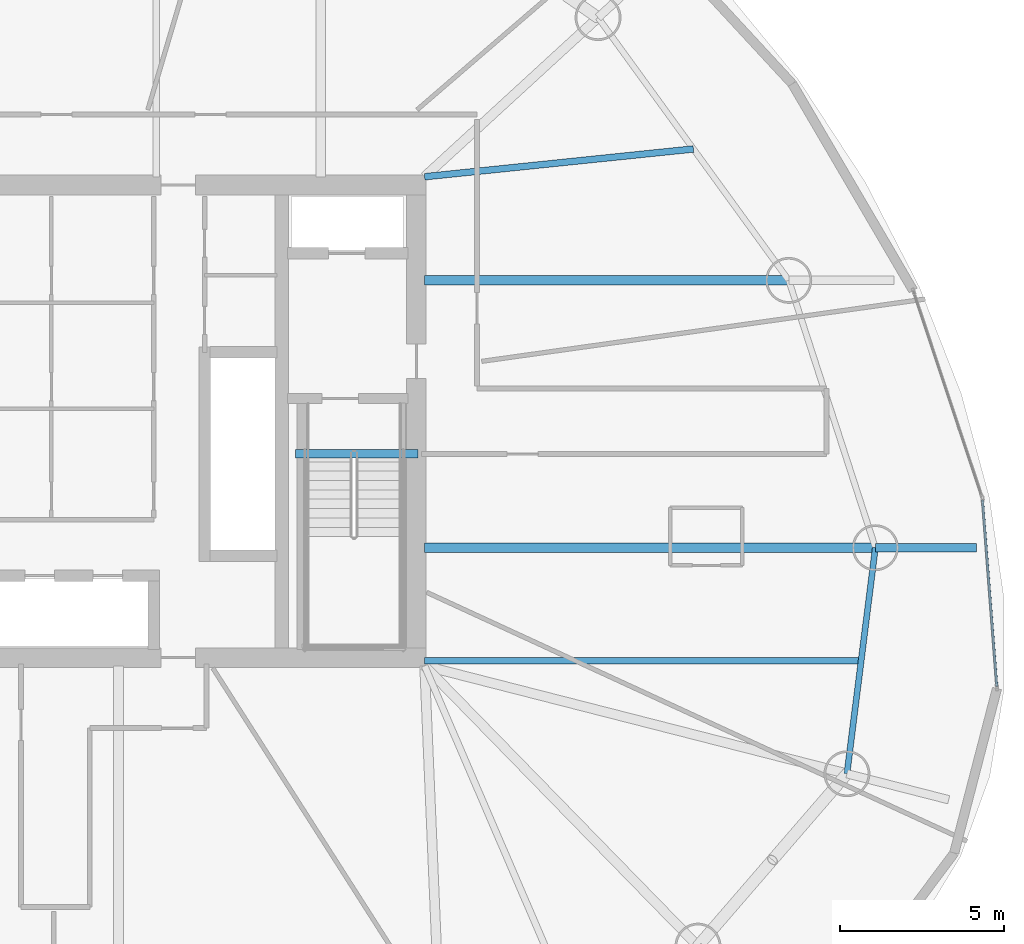
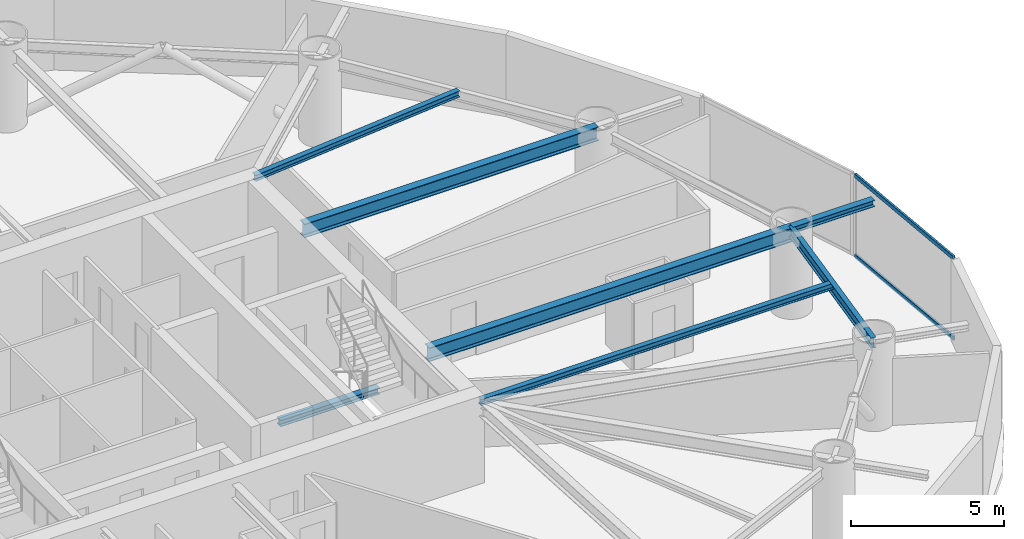
# One storey, part 11 of 22: 7 beams, 2 members, 1 element without a shape of its own.
"""IFC4 building model written with IfcOpenShell, lengths in metres."""

from ifc_helpers import new_model, si_unit, direction, frame, origin, origin_2d, place, context, subcontext, project, spatial, hollow_rectangle, i_section, extrude, material, layer, layer_set, material_profile, profile_set, type_object, element, aggregate, save


model = new_model("IFC4")

# Units and contexts
model_context = context("Model", 3, precision=1e-05, world=origin(), true_north=direction((0.0, 1.0)))
body_context = subcontext(model_context, "Body", "Model", "MODEL_VIEW")
ifc_project = project(units=[si_unit("LENGTHUNIT", "METRE"), si_unit("AREAUNIT", "SQUARE_METRE"), si_unit("VOLUMEUNIT", "CUBIC_METRE"), si_unit("PLANEANGLEUNIT", "RADIAN"), si_unit("MASSUNIT", "GRAM", prefix="KILO")], contexts=[model_context])

# Site, building, storey
site_placement = place(None, origin())
site = spatial("IfcSite", under=ifc_project, at=site_placement, CompositionType="ELEMENT")
building_placement = place(site_placement, origin())
building = spatial("IfcBuilding", under=site, at=building_placement, Name="Bramvorn Convention Spire", CompositionType="ELEMENT")
storey_placement = place(building_placement, frame((0.0, 0.0, 134.300048828125)))
storey = spatial("IfcBuildingStorey", under=building, at=storey_placement, Name="L33", CompositionType="ELEMENT", Elevation=134.300048828125)

# Beams
ifc_material_1 = material(Name="Steel CSA G40.21 Grade 350 (350W)", Category="steel")
ifc_material_profile_1 = material_profile(ifc_material_1, i_section(OverallWidth=0.201904296875, OverallDepth=0.2470703125, WebThickness=0.00732421875, FlangeThickness=0.010986328125, FilletRadius=0.011962890625, at=origin_2d()))
ifc_profile_set_1 = profile_set([ifc_material_profile_1], Name="Steel CSA G40.21 Grade 350 (350W) - W250X49")
beam_type_1 = type_object("IfcBeamType", Name="BM-W250X49", PredefinedType="JOIST", material=ifc_profile_set_1)
beam_1_placement = place(storey_placement, frame((49.25, 18.705078125, 3.136474609375), z_axis=(1.0, 0.0, 0.0), x_axis=(0.0, 1.0, 0.0)))
element("IfcBeam", 1, at=beam_1_placement, inside=storey, type_object=beam_type_1, Name="L33 composite floor joist 01", PredefinedType="JOIST", context=body_context, shape_type="SweptSolid", body=[
    extrude(i_section(OverallWidth=0.201904296875, OverallDepth=0.2470703125, WebThickness=0.00732421875, FlangeThickness=0.010986328125, FilletRadius=0.011962890625, at=origin_2d()), origin(), (0.0, 0.0, 1.0), 13.30078125),
])
beam_2_placement = place(storey_placement, frame((49.25, 33.449951171875, 3.136474609375), z_axis=(0.994705076194, 0.102770673804, 0.0), x_axis=(-0.102770673804, 0.994705076194, 0.0)))
element("IfcBeam", 2, at=beam_2_placement, inside=storey, type_object=beam_type_1, Name="L33 composite floor joist 03", PredefinedType="JOIST", context=body_context, shape_type="SweptSolid", body=[
    extrude(i_section(OverallWidth=0.201904296875, OverallDepth=0.2470703125, WebThickness=0.00732421875, FlangeThickness=0.010986328125, FilletRadius=0.011962890625, at=origin_2d()), origin(), (0.0, 0.0, 1.0), 8.23388671875),
])
ifc_material_profile_2 = material_profile(ifc_material_1, i_section(OverallWidth=0.25390625, OverallDepth=0.2529296875, WebThickness=0.008544921875, FlangeThickness=0.01416015625, FilletRadius=0.011962890625, at=origin_2d()))
ifc_profile_set_2 = profile_set([ifc_material_profile_2], Name="Steel CSA G40.21 Grade 350 (350W) - W250X73")
beam_type_2 = type_object("IfcBeamType", Name="BM-W250X73", PredefinedType="BEAM", material=ifc_profile_set_2)
beam_3_placement = place(storey_placement, frame((62.983642578125, 22.148193359375, 3.133544921875), z_axis=(1.0, 0.0, 0.0), x_axis=(0.0, 1.0, 0.0)))
element("IfcBeam", 3, at=beam_3_placement, inside=storey, type_object=beam_type_2, Name="L33 slab-edge cantilever tip beam MC02", PredefinedType="BEAM", context=body_context, shape_type="SweptSolid", body=[
    extrude(i_section(OverallWidth=0.25390625, OverallDepth=0.2529296875, WebThickness=0.008544921875, FlangeThickness=0.01416015625, FilletRadius=0.011962890625, at=origin_2d()), origin(), (0.0, 0.0, 1.0), 3.087158203125),
])
beam_4_placement = place(storey_placement, frame((45.31005859375, 25.010009765625, -0.12646484375), z_axis=(1.0, 0.0, 0.0), x_axis=(0.0, 1.0, 0.0)))
element("IfcBeam", 4, at=beam_4_placement, inside=storey, type_object=beam_type_2, Name="L33 ST2 stair arrival header beam", PredefinedType="BEAM", context=body_context, shape_type="SweptSolid", body=[
    extrude(i_section(OverallWidth=0.25390625, OverallDepth=0.2529296875, WebThickness=0.008544921875, FlangeThickness=0.01416015625, FilletRadius=0.011962890625, at=origin_2d()), origin(), (0.0, 0.0, 1.0), 3.739990234375),
])
ifc_material_profile_3 = material_profile(ifc_material_1, i_section(OverallWidth=0.180908203125, OverallDepth=0.4169921875, WebThickness=0.010986328125, FlangeThickness=0.018310546875, FilletRadius=0.01611328125, at=origin_2d()))
ifc_profile_set_3 = profile_set([ifc_material_profile_3], Name="Steel CSA G40.21 Grade 350 (350W) - W410X85")
beam_type_3 = type_object("IfcBeamType", Name="BM-W410X85", PredefinedType="JOIST", material=ifc_profile_set_3)
beam_5_placement = place(storey_placement, frame((62.11767578125, 15.26220703125, 3.051513671875), z_axis=(0.124775053879, 0.992185056292, 0.0), x_axis=(-0.992185056292, 0.124775053879, 0.0)))
element("IfcBeam", 5, at=beam_5_placement, inside=storey, type_object=beam_type_3, Name="L33 mega-column ring beam 01", PredefinedType="JOIST", context=body_context, shape_type="SweptSolid", body=[
    extrude(i_section(OverallWidth=0.180908203125, OverallDepth=0.4169921875, WebThickness=0.010986328125, FlangeThickness=0.018310546875, FilletRadius=0.01611328125, at=origin_2d()), origin(), (0.0, 0.0, 1.0), 6.940185546875),
])
ifc_material_profile_4 = material_profile(ifc_material_1, i_section(OverallWidth=0.2919921875, OverallDepth=0.551025390625, WebThickness=0.01513671875, FlangeThickness=0.0244140625, FilletRadius=0.01904296875, at=origin_2d()))
ifc_profile_set_4 = profile_set([ifc_material_profile_4], Name="Steel CSA G40.21 Grade 350 (350W) - W530X182")
beam_type_4 = type_object("IfcBeamType", Name="BM-W530X182", PredefinedType="BEAM", material=ifc_profile_set_4)
beam_6_placement = place(storey_placement, frame((49.25, 22.148193359375, 2.984375), z_axis=(1.0, 0.0, 0.0), x_axis=(0.0, 1.0, 0.0)))
element("IfcBeam", 6, at=beam_6_placement, inside=storey, type_object=beam_type_4, Name="L33 radial floor girder MC02", PredefinedType="BEAM", context=body_context, shape_type="SweptSolid", body=[
    extrude(i_section(OverallWidth=0.2919921875, OverallDepth=0.551025390625, WebThickness=0.01513671875, FlangeThickness=0.0244140625, FilletRadius=0.01904296875, at=origin_2d()), origin(), (0.0, 0.0, 1.0), 13.733642578125),
])
beam_7_placement = place(storey_placement, frame((49.25, 30.293212890625, 2.984375), z_axis=(1.0, 0.0, 0.0), x_axis=(0.0, 1.0, 0.0)))
element("IfcBeam", 7, at=beam_7_placement, inside=storey, type_object=beam_type_4, Name="L33 radial floor girder MC03", PredefinedType="BEAM", context=body_context, shape_type="SweptSolid", body=[
    extrude(i_section(OverallWidth=0.2919921875, OverallDepth=0.551025390625, WebThickness=0.01513671875, FlangeThickness=0.0244140625, FilletRadius=0.01904296875, at=origin_2d()), origin(), (0.0, 0.0, 1.0), 11.095703125),
])

# Curtain wall, members
ifc_material_2 = material(Name="Anodised Bronze Unitised Curtain Wall", Category="aluminium")
ifc_layer = layer(ifc_material_2, 0.179931640625)
ifc_layer_set = layer_set([ifc_layer], Name="Anodised Bronze Unitised Curtain Wall - CW-HTL-FRIT")
curtain_wall_type = type_object("IfcCurtainWallType", Name="CW-HTL-FRIT", PredefinedType="USERDEFINED", material=ifc_layer_set)
curtain_wall_placement = place(storey_placement, origin())
curtain_wall = element("IfcCurtainWall", 8, at=curtain_wall_placement, inside=storey, type_object=curtain_wall_type, Name="L33 fritted glass curtain wall 02", ObjectType="UNITISED CURTAIN WALL", PredefinedType="USERDEFINED")
ifc_material_3 = material(Name="Anodised Bronze Aluminium 6063-T6", Category="aluminium")
ifc_material_profile_5 = material_profile(ifc_material_3, hollow_rectangle(XDim=0.080078125, YDim=0.159912109375, WallThickness=0.00390625, InnerFilletRadius=0.0009765625, OuterFilletRadius=0.00390625, at=origin_2d()))
ifc_profile_set_5 = profile_set([ifc_material_profile_5], Name="Anodised Bronze Aluminium 6063-T6 - CWT80X160")
member_type = type_object("IfcMemberType", Name="CW-TRN-150", PredefinedType="USERDEFINED", material=ifc_profile_set_5)
member_1_placement = place(storey_placement, frame((66.24658203125, 23.60302734375, 0.030029296875), z_axis=(0.076588464202, -0.997062789974, 0.0), x_axis=(0.997062789974, 0.076588464202, 0.0)))
member_1 = element("IfcMember", 9, at=member_1_placement, type_object=member_type, Name="CW2 transom 1.1", ObjectType="TRANSOM", PredefinedType="USERDEFINED", context=body_context, shape_type="SweptSolid", body=[
    extrude(hollow_rectangle(XDim=0.080078125, YDim=0.159912109375, WallThickness=0.00390625, InnerFilletRadius=0.0009765625, OuterFilletRadius=0.00390625, at=origin_2d()), origin(), (0.0, 0.0, 1.0), 5.702880859375),
])
member_2_placement = place(storey_placement, frame((66.24658203125, 23.60302734375, 3.22998046875), z_axis=(0.076588464202, -0.997062789974, 0.0), x_axis=(0.997062789974, 0.076588464202, 0.0)))
member_2 = element("IfcMember", 10, at=member_2_placement, type_object=member_type, Name="CW2 transom 1.2", ObjectType="TRANSOM", PredefinedType="USERDEFINED", context=body_context, shape_type="SweptSolid", body=[
    extrude(hollow_rectangle(XDim=0.080078125, YDim=0.159912109375, WallThickness=0.00390625, InnerFilletRadius=0.0009765625, OuterFilletRadius=0.00390625, at=origin_2d()), origin(), (0.0, 0.0, 1.0), 5.702880859375),
])
aggregate(curtain_wall, [member_1, member_2])

save(model, "model.ifc")
